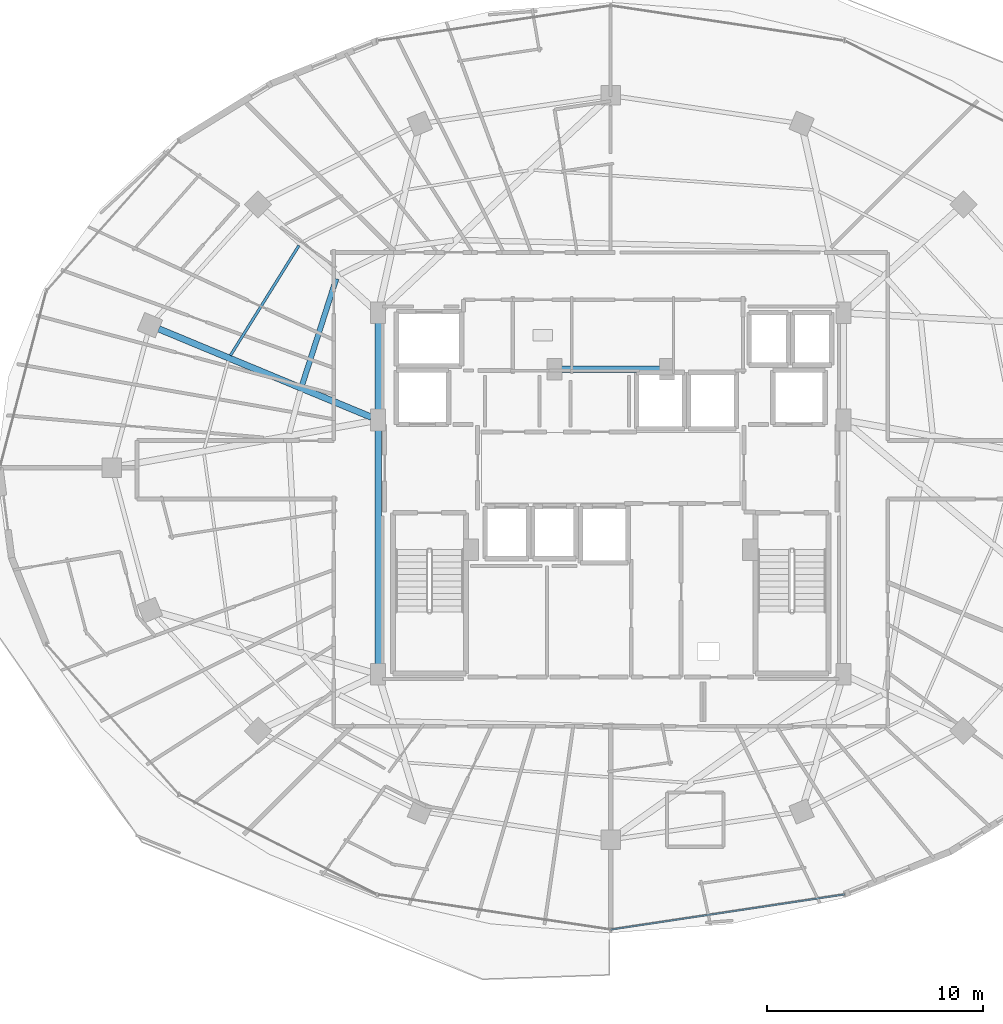
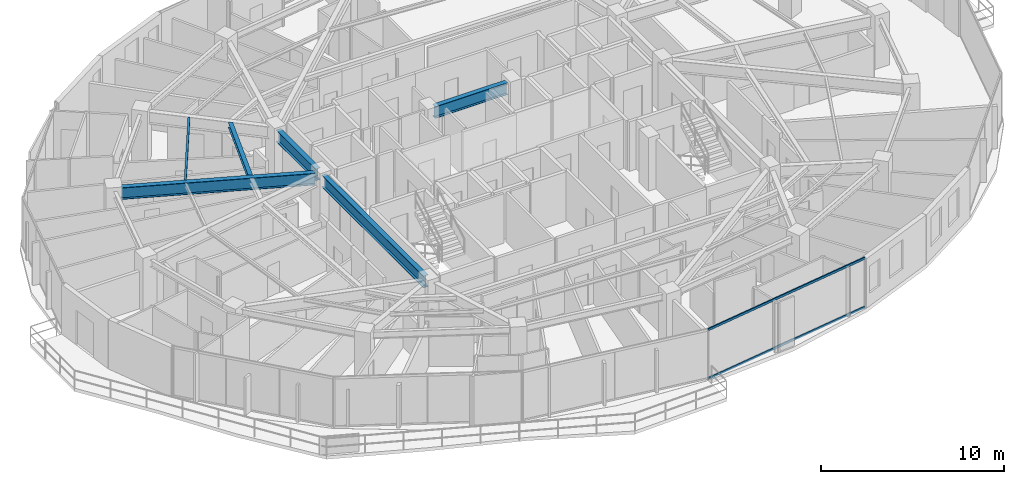
# One storey, part 10 of 33: 6 beams, 2 members, 1 element without a shape of its own.
"""IFC4 building model written with IfcOpenShell, lengths in metres."""

from ifc_helpers import new_model, si_unit, direction, frame, origin, origin_2d, place, context, subcontext, project, spatial, hollow_rectangle, i_section, extrude, material, material_profile, profile_set, type_object, element, aggregate, save


model = new_model("IFC4")

# Units and contexts
model_context = context("Model", 3, precision=1e-05, world=origin(), true_north=direction((0.0, 1.0)))
body_context = subcontext(model_context, "Body", "Model", "MODEL_VIEW")
ifc_project = project(units=[si_unit("LENGTHUNIT", "METRE"), si_unit("AREAUNIT", "SQUARE_METRE"), si_unit("VOLUMEUNIT", "CUBIC_METRE"), si_unit("PLANEANGLEUNIT", "RADIAN"), si_unit("MASSUNIT", "GRAM", prefix="KILO")], contexts=[model_context])

# Site, building, storey
site_placement = place(None, origin())
site = spatial("IfcSite", under=ifc_project, at=site_placement, CompositionType="ELEMENT")
building_placement = place(site_placement, origin())
building = spatial("IfcBuilding", under=site, at=building_placement, Name="Vorneva Point Tower", CompositionType="ELEMENT")
storey_placement = place(building_placement, frame((0.0, 0.0, 200.10009765625)))
storey = spatial("IfcBuildingStorey", under=building, at=storey_placement, Name="L54", CompositionType="ELEMENT", Elevation=200.10009765625)

# Beams
ifc_material_1 = material(Name="Steel S355", Category="steel")
ifc_material_profile_1 = material_profile(ifc_material_1, i_section(OverallWidth=0.300048828125, OverallDepth=0.7880859375, WebThickness=0.014404296875, FlangeThickness=0.02197265625, at=origin_2d()), Name="80Sh1")
ifc_profile_set_1 = profile_set([ifc_material_profile_1], Name="Steel S355")
beam_type_1 = type_object("IfcBeamType", Name="BM-GRD-80Sh1", PredefinedType="USERDEFINED", material=ifc_profile_set_1)
beam_1_placement = place(storey_placement, frame((17.109130859375, 32.4140625, 2.89599609375), z_axis=(0.923445067159, -0.383730645035, 0.0), x_axis=(0.383730645035, 0.923445067159, 0.0)))
element("IfcBeam", 1, at=beam_1_placement, inside=storey, type_object=beam_type_1, Name="L54 Radial Primary Girder 08", ObjectType="GIRDER", PredefinedType="USERDEFINED", context=body_context, shape_type="SweptSolid", body=[
    extrude(i_section(OverallWidth=0.300048828125, OverallDepth=0.7880859375, WebThickness=0.014404296875, FlangeThickness=0.02197265625, at=origin_2d()), origin(), (0.0, 0.0, 1.0), 10.6416015625),
])
beam_2_placement = place(storey_placement, frame((27.25, 16.77001953125, 2.89599609375), z_axis=(0.0, 1.0, 0.0), x_axis=(-1.0, 0.0, 0.0)))
element("IfcBeam", 2, at=beam_2_placement, inside=storey, type_object=beam_type_1, Name="L54 Core Tie Girder CT1", ObjectType="GIRDER", PredefinedType="USERDEFINED", context=body_context, shape_type="SweptSolid", body=[
    extrude(i_section(OverallWidth=0.300048828125, OverallDepth=0.7880859375, WebThickness=0.014404296875, FlangeThickness=0.02197265625, at=origin_2d()), origin(), (0.0, 0.0, 1.0), 11.10986328125),
])
beam_3_placement = place(storey_placement, frame((27.25, 28.52001953125, 2.89599609375), z_axis=(0.0, 1.0, 0.0), x_axis=(-1.0, 0.0, 0.0)))
element("IfcBeam", 3, at=beam_3_placement, inside=storey, type_object=beam_type_1, Name="L54 Core Tie Girder CT2", ObjectType="GIRDER", PredefinedType="USERDEFINED", context=body_context, shape_type="SweptSolid", body=[
    extrude(i_section(OverallWidth=0.300048828125, OverallDepth=0.7880859375, WebThickness=0.014404296875, FlangeThickness=0.02197265625, at=origin_2d()), origin(), (0.0, 0.0, 1.0), 4.31005859375),
])
beam_4_placement = place(storey_placement, frame((35.719970703125, 30.550048828125, 2.89599609375), z_axis=(1.0, 0.0, 0.0), x_axis=(0.0, 1.0, 0.0)))
element("IfcBeam", 4, at=beam_4_placement, inside=storey, type_object=beam_type_1, Name="L54 Core Tie Girder CT8", ObjectType="GIRDER", PredefinedType="USERDEFINED", context=body_context, shape_type="SweptSolid", body=[
    extrude(i_section(OverallWidth=0.300048828125, OverallDepth=0.7880859375, WebThickness=0.014404296875, FlangeThickness=0.02197265625, at=origin_2d()), origin(), (0.0, 0.0, 1.0), 4.56005859375),
])
ifc_material_profile_2 = material_profile(ifc_material_1, i_section(OverallWidth=0.1240234375, OverallDepth=0.248046875, WebThickness=0.0048828125, FlangeThickness=0.008056640625, at=origin_2d()), Name="25B1")
ifc_profile_set_2 = profile_set([ifc_material_profile_2], Name="Steel S355")
beam_type_2 = type_object("IfcBeamType", Name="BM-JST-25B1", PredefinedType="JOIST", material=ifc_profile_set_2)
beam_5_placement = place(storey_placement, frame((23.59375, 36.26953125, 3.166015625), z_axis=(-0.528797190542, -0.848748214298, 0.0), x_axis=(0.848748214298, -0.528797190542, 0.0)))
element("IfcBeam", 5, at=beam_5_placement, inside=storey, type_object=beam_type_2, Name="L54 Secondary Floor Beam 1.07", PredefinedType="JOIST", context=body_context, shape_type="SweptSolid", body=[
    extrude(i_section(OverallWidth=0.1240234375, OverallDepth=0.248046875, WebThickness=0.0048828125, FlangeThickness=0.008056640625, at=origin_2d()), origin(), (0.0, 0.0, 1.0), 5.9921875),
])
ifc_material_profile_3 = material_profile(ifc_material_1, i_section(OverallWidth=0.2490234375, OverallDepth=0.333984375, WebThickness=0.008056640625, FlangeThickness=0.010986328125, at=origin_2d()), Name="35Sh1")
ifc_profile_set_3 = profile_set([ifc_material_profile_3], Name="Steel S355")
beam_type_3 = type_object("IfcBeamType", Name="BM-SEC-35Sh1", PredefinedType="BEAM", material=ifc_profile_set_3)
beam_6_placement = place(storey_placement, frame((25.31494140625, 34.728515625, 3.122802734375), z_axis=(-0.305746065021, -0.952113093978, 0.0), x_axis=(0.952113093978, -0.305746065021, 0.0)))
element("IfcBeam", 6, at=beam_6_placement, inside=storey, type_object=beam_type_3, Name="L54 Secondary Floor Beam 2.07", PredefinedType="BEAM", context=body_context, shape_type="SweptSolid", body=[
    extrude(i_section(OverallWidth=0.2490234375, OverallDepth=0.333984375, WebThickness=0.008056640625, FlangeThickness=0.010986328125, at=origin_2d()), origin(), (0.0, 0.0, 1.0), 5.166259765625),
])

# Curtain wall, members
ifc_material_2 = material(Name="Pale anodised aluminium", Category="aluminium")
curtain_wall_type = type_object("IfcCurtainWallType", Name="CW-RES-SYS", PredefinedType="NOTDEFINED", material=ifc_material_2)
curtain_wall_placement = place(storey_placement, origin())
curtain_wall = element("IfcCurtainWall", 7, at=curtain_wall_placement, inside=storey, type_object=curtain_wall_type, Name="L54 Unitised Curtain Wall CW-L54-R03", PredefinedType="NOTDEFINED")
ifc_material_profile_4 = material_profile(ifc_material_2, hollow_rectangle(XDim=0.074951171875, YDim=0.14990234375, WallThickness=0.00390625, at=origin_2d()), Name="AL-TRN 150x75x4")
ifc_profile_set_4 = profile_set([ifc_material_profile_4], Name="Pale anodised aluminium")
member_type = type_object("IfcMemberType", Name="CW-TRN-150", PredefinedType="USERDEFINED", material=ifc_profile_set_4)
member_1_placement = place(storey_placement, frame((38.0, 4.64990234375, 0.02001953125), z_axis=(0.988872333273, 0.148766624239, 0.0), x_axis=(-0.148766624239, 0.988872333273, 0.0)))
member_1 = element("IfcMember", 8, at=member_1_placement, type_object=member_type, Name="CW-L54-R03 Transom 04.1", ObjectType="TRANSOM", PredefinedType="USERDEFINED", context=body_context, shape_type="SweptSolid", body=[
    extrude(hollow_rectangle(XDim=0.074951171875, YDim=0.14990234375, WallThickness=0.00390625, at=origin_2d()), origin(), (0.0, 0.0, 1.0), 10.9248046875),
])
member_2_placement = place(storey_placement, frame((38.0, 4.64990234375, 3.27001953125), z_axis=(0.988872333273, 0.148766624239, 0.0), x_axis=(-0.148766624239, 0.988872333273, 0.0)))
member_2 = element("IfcMember", 9, at=member_2_placement, type_object=member_type, Name="CW-L54-R03 Transom 04.2", ObjectType="TRANSOM", PredefinedType="USERDEFINED", context=body_context, shape_type="SweptSolid", body=[
    extrude(hollow_rectangle(XDim=0.074951171875, YDim=0.14990234375, WallThickness=0.00390625, at=origin_2d()), origin(), (0.0, 0.0, 1.0), 10.9248046875),
])
aggregate(curtain_wall, [member_1, member_2])

save(model, "model.ifc")
